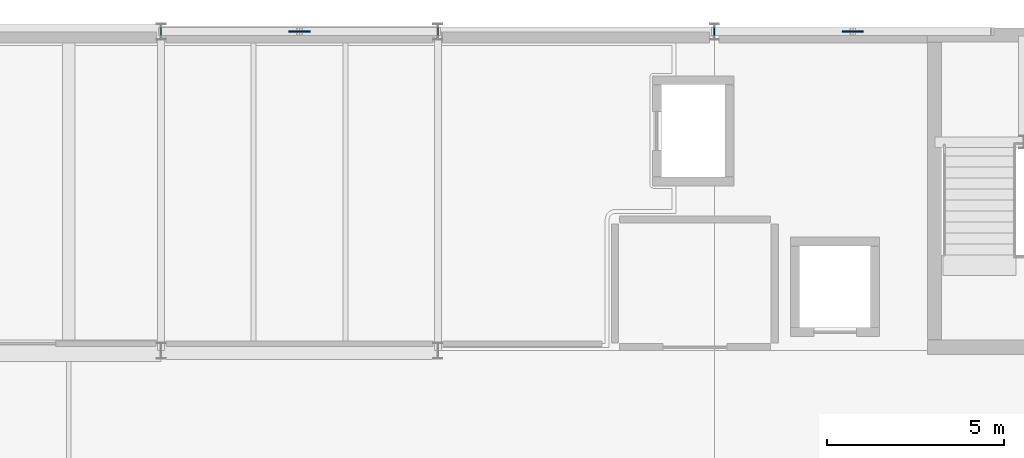
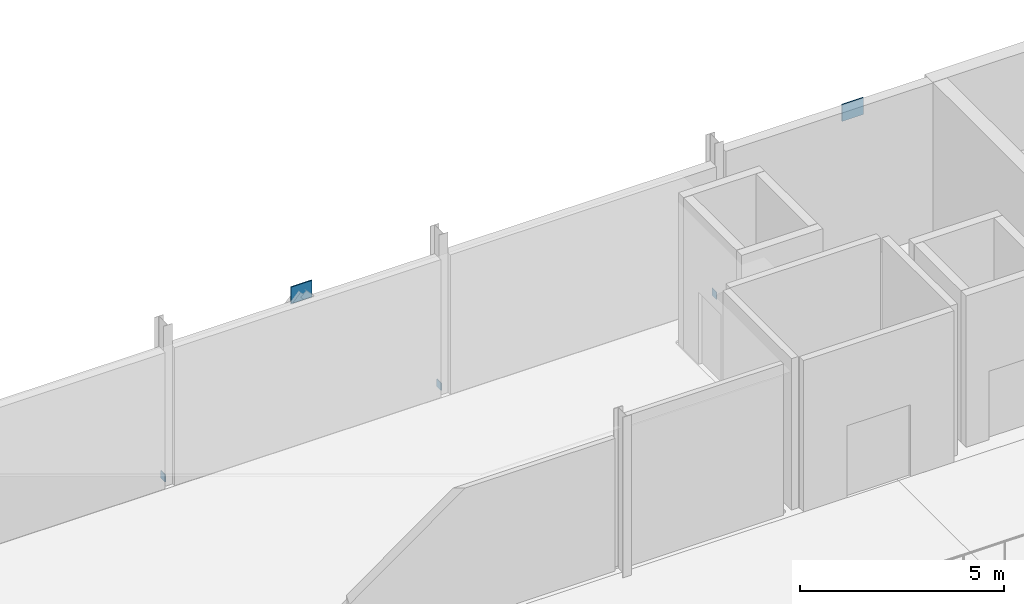
# One storey, part 83 of 100: 5 plates.
"""IFC4 building model written with IfcOpenShell, lengths in metres."""

from ifc_helpers import new_model, si_unit, derived_unit, direction, frame, origin, origin_2d, place, context, subcontext, project, spatial, rectangle, extrude, material, layer, layer_set, type_object, element, save


model = new_model("IFC4")

# Units and contexts
model_context = context("Model", 3, precision=1e-05, world=origin(), true_north=direction((0.0, 1.0)))
body_context = subcontext(model_context, "Body", "Model", "MODEL_VIEW")
ifc_project = project(units=[si_unit("LENGTHUNIT", "METRE"), si_unit("AREAUNIT", "SQUARE_METRE"), si_unit("VOLUMEUNIT", "CUBIC_METRE"), si_unit("PLANEANGLEUNIT", "RADIAN"), si_unit("MASSUNIT", "GRAM", prefix="KILO"), derived_unit("THERMALTRANSMITTANCEUNIT", [(si_unit("POWERUNIT", "WATT"), 1), (si_unit("LENGTHUNIT", "METRE"), -2), (si_unit("THERMODYNAMICTEMPERATUREUNIT", "KELVIN"), -1)])], contexts=[model_context])

# Site, building, storey
site_placement = place(None, origin())
site = spatial("IfcSite", under=ifc_project, at=site_placement, CompositionType="ELEMENT")
building_placement = place(site_placement, origin())
building = spatial("IfcBuilding", under=site, at=building_placement, Name="Nallur Shell Playhouse", CompositionType="ELEMENT")
storey_placement = place(building_placement, frame((0.0, 0.0, 10.199951171875)))
storey = spatial("IfcBuildingStorey", under=building, at=storey_placement, Name="L03", CompositionType="ELEMENT", Elevation=10.199951171875)

# Plates
ifc_material = material(Name="Steel E350", Category="steel")
ifc_layer_1 = layer(ifc_material, 0.02001953125)
ifc_layer_set_1 = layer_set([ifc_layer_1], Name="Steel E350")
plate_type_1 = type_object("IfcPlateType", Name="PT-ENDCAP-20", PredefinedType="SHEET", material=ifc_layer_set_1)
for number, where, z_axis, x_axis, name in (
    (1, (71.793212890625, 83.0, 0.03271484375), (0.0, 0.0, 1.0), (1.0, 0.0, 0.0), "Hollow end cap EC-BR-FT-L03-021-0"),
    (2, (79.60693359375, 83.0, 0.03271484375), (0.0, 0.0, 1.0), (1.0, 0.0, 0.0), "Hollow end cap EC-BR-FT-L03-022-0"),
    (3, (87.39306640625, 83.0, 0.03271484375), (0.0, 0.0, 1.0), (1.0, 0.0, 0.0), "Hollow end cap EC-BR-FT-L03-023-0"),
):
    element("IfcPlate", number, at=place(storey_placement, frame(where, z_axis=z_axis, x_axis=x_axis)), inside=storey, type_object=plate_type_1, Name=name, PredefinedType="SHEET", context=body_context, shape_type="SweptSolid", body=[
        extrude(rectangle(XDim=0.02001953125, YDim=0.219970703125, at=origin_2d()), origin(), (0.0, 0.0, 1.0), 0.219970703125),
    ])
ifc_layer_2 = layer(ifc_material, 0.034912109375)
ifc_layer_set_2 = layer_set([ifc_layer_2], Name="Steel E350")
plate_type_2 = type_object("IfcPlateType", Name="PT-GUSSET-35", PredefinedType="USERDEFINED", material=ifc_layer_set_2)
for number, where, z_axis, x_axis, name in (
    (4, (75.699951171875, 83.0, 4.0400390625), (0.0, 0.0, 1.0), (1.0, 0.0, 0.0), "Fly tower chevron node gusset plate TN-02 (L03)"),
    (5, (91.300048828125, 83.0, 4.0400390625), (0.0, 0.0, 1.0), (1.0, 0.0, 0.0), "Fly tower chevron node gusset plate TN-02 (L03)"),
):
    element("IfcPlate", number, at=place(storey_placement, frame(where, z_axis=z_axis, x_axis=x_axis)), inside=storey, type_object=plate_type_2, Name=name, ObjectType="GUSSET PLATE", PredefinedType="USERDEFINED", context=body_context, shape_type="SweptSolid", body=[
        extrude(rectangle(XDim=0.60009765625, YDim=0.034912109375, at=origin_2d()), origin(), (0.0, 0.0, 1.0), 0.5),
    ])

save(model, "model.ifc")
